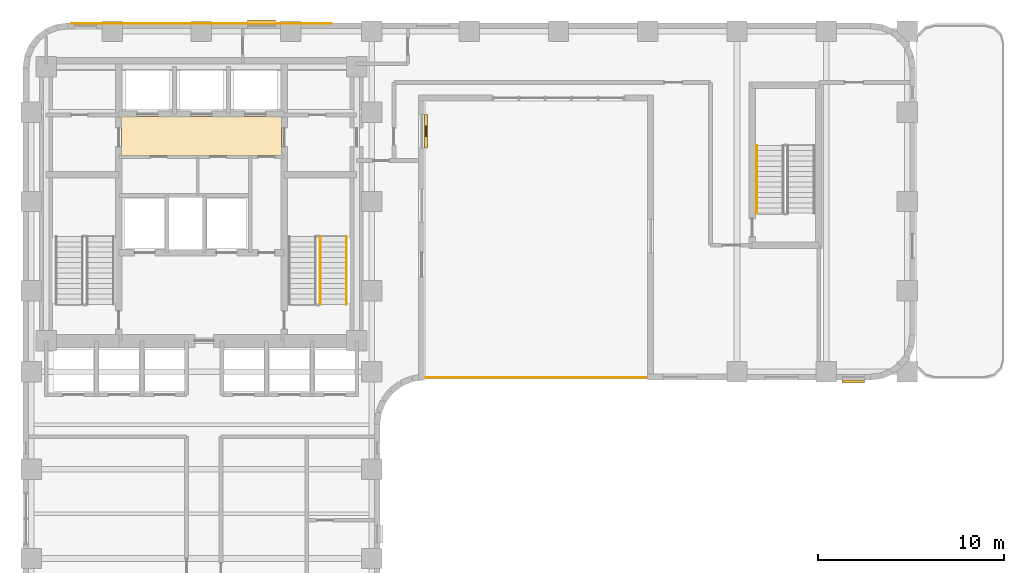
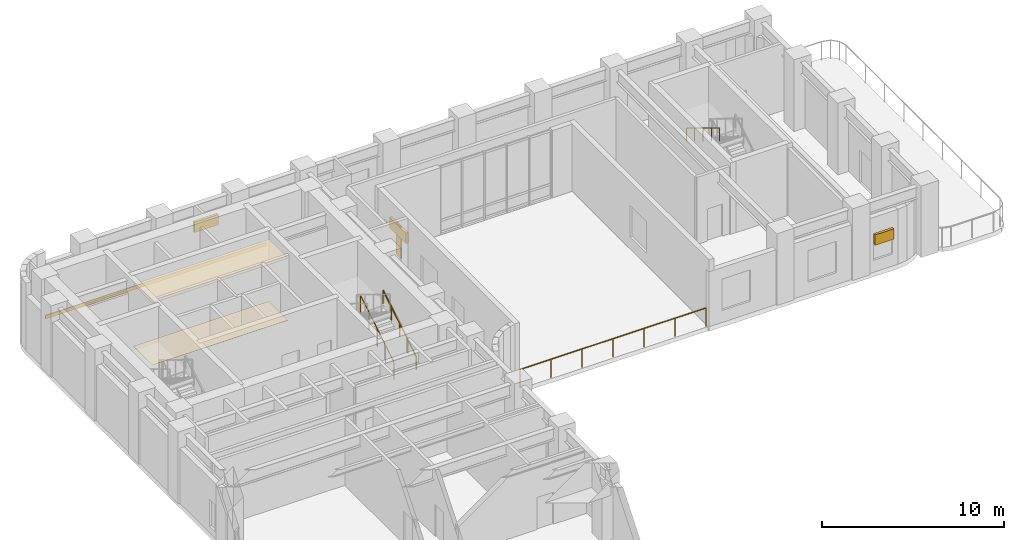
# One storey, part 11 of 12: 4 railings, 4 shading devices, 3 coverings.
"""IFC4 building model written with IfcOpenShell, lengths in metres."""

from ifc_helpers import new_model, si_unit, direction, frame, origin, origin_2d, place, context, subcontext, project, spatial, polyline, rectangle, outline, extrude, material, layer, layer_set, type_object, element, save


model = new_model("IFC4")

# Units and contexts
model_context = context("Model", 3, precision=1e-05, world=origin(), true_north=direction((0.0, 1.0)))
body_context = subcontext(model_context, "Body", "Model", "MODEL_VIEW")
ifc_project = project(units=[si_unit("LENGTHUNIT", "METRE"), si_unit("AREAUNIT", "SQUARE_METRE"), si_unit("VOLUMEUNIT", "CUBIC_METRE"), si_unit("PLANEANGLEUNIT", "RADIAN"), si_unit("MASSUNIT", "GRAM", prefix="KILO")], contexts=[model_context])

# Site, building, storey
site_placement = place(None, origin())
site = spatial("IfcSite", under=ifc_project, at=site_placement, CompositionType="ELEMENT")
building_placement = place(site_placement, origin())
building = spatial("IfcBuilding", under=site, at=building_placement, Name="Orvandelia Arch Residences", CompositionType="ELEMENT")
storey_placement = place(building_placement, frame((0.0, 0.0, 97.0)))
storey = spatial("IfcBuildingStorey", under=building, at=storey_placement, Name="L25", CompositionType="ELEMENT", Elevation=97.0)

# Coverings
ifc_material_1 = material(Name="Perforated Acoustic Mineral-Fibre Ceiling")
ifc_layer_1 = layer(ifc_material_1, 0.02490234375, Name="Perforated Acoustic Mineral-Fibre Ceiling")
ifc_layer_set_1 = layer_set([ifc_layer_1], Name="Perforated Acoustic Mineral-Fibre Ceiling")
covering_type_1 = type_object("IfcCoveringType", Name="COV-CEIL-ACOUSTIC", PredefinedType="CEILING", material=ifc_layer_set_1)
covering_1_placement = place(storey_placement, frame((0.0, 0.0, 4.14990234375)))
element("IfcCovering", 1, at=covering_1_placement, inside=storey, type_object=covering_type_1, Name="Lift Hall Suspended Acoustic Ceiling L25", PredefinedType="CEILING", context=body_context, shape_type="SweptSolid", body=[
    extrude(outline(polyline([(10.10009765625, 40.8798828125), (18.699951171875, 40.8798828125), (18.699951171875, 42.97998046875), (10.10009765625, 42.97998046875), (10.10009765625, 40.8798828125)])), origin(), (0.0, 0.0, 1.0), 0.025146484375),
])
ifc_material_2 = material(Name="Engineered Oak Flooring")
ifc_layer_2 = layer(ifc_material_2, 0.02001953125, Name="Engineered Oak Flooring")
ifc_layer_set_2 = layer_set([ifc_layer_2], Name="Engineered Oak Flooring")
covering_type_2 = type_object("IfcCoveringType", Name="COV-FLOOR-TIMBER", PredefinedType="FLOORING", material=ifc_layer_set_2)
covering_2_placement = place(storey_placement, origin())
element("IfcCovering", 2, at=covering_2_placement, inside=storey, type_object=covering_type_2, Name="Lift Hall Finish Flooring L25", PredefinedType="FLOORING", context=body_context, shape_type="SweptSolid", body=[
    extrude(outline(polyline([(10.10009765625, 40.8798828125), (18.699951171875, 40.8798828125), (18.699951171875, 42.97998046875), (10.10009765625, 42.97998046875), (10.10009765625, 40.8798828125)])), origin(), (0.0, 0.0, 1.0), 0.02001953125),
])
ifc_material_3 = material(Name="Coral-Limestone Architectural Cladding", Category="masonry")
ifc_layer_3 = layer(ifc_material_3, 0.044921875, Name="Coral-Limestone Architectural Cladding", Category="masonry")
ifc_layer_set_3 = layer_set([ifc_layer_3], Name="Coral-Limestone Architectural Cladding")
covering_type_3 = type_object("IfcCoveringType", Name="COV-STONE-CLAD", PredefinedType="CLADDING", material=ifc_layer_set_3)
covering_3_placement = place(storey_placement, frame((14.39990234375, 47.97509765625, -0.240234375), z_axis=(0.0, 0.0, 1.0), x_axis=(1.0, 0.0, 0.0)))
element("IfcCovering", 3, at=covering_3_placement, inside=storey, type_object=covering_type_3, Name="Coral-Limestone Slab-Edge Cladding Band L25", PredefinedType="CLADDING", context=body_context, shape_type="SweptSolid", body=[
    extrude(rectangle(XDim=14.0, YDim=0.044921875, at=origin_2d()), origin(), (0.0, 0.0, 1.0), 0.239990234375),
])

# Railings
ifc_material_4 = material(Name="Marine-Grade Stainless Steel 316", Category="steel")
railing_type_1 = type_object("IfcRailingType", Name="GRD-TERR-1250", PredefinedType="GUARDRAIL", material=ifc_material_4)
railing_1_placement = place(storey_placement, frame((26.4951171875, 28.93359375, 0.0)))
element("IfcRailing", 4, at=railing_1_placement, inside=storey, type_object=railing_type_1, Name="Safety Balustrade Guard GRD-L25-TERR-L25-WAIST-1", PredefinedType="GUARDRAIL", context=body_context, shape_type="SweptSolid", body=[
    extrude(rectangle(XDim=0.048095703125, YDim=0.048095703125, at=origin_2d()), frame((0.0, 0.0, 1.22607421875), z_axis=(1.0, 0.0, 0.0), x_axis=(0.0, 1.0, 0.0)), (0.0, 0.0, 1.0), 11.809814453125),
    extrude(rectangle(XDim=0.0419921875, YDim=0.0419921875, at=origin_2d()), origin(), (0.0, 0.0, 1.0), 1.201904296875),
    extrude(rectangle(XDim=0.0419921875, YDim=0.0419921875, at=origin_2d()), frame((1.96826171875, 0.0, 0.0)), (0.0, 0.0, 1.0), 1.201904296875),
    extrude(rectangle(XDim=0.0419921875, YDim=0.0419921875, at=origin_2d()), frame((3.9365234375, 0.0, 0.0)), (0.0, 0.0, 1.0), 1.201904296875),
    extrude(rectangle(XDim=0.0419921875, YDim=0.0419921875, at=origin_2d()), frame((5.90478515625, 0.0, 0.0)), (0.0, 0.0, 1.0), 1.201904296875),
    extrude(rectangle(XDim=0.0419921875, YDim=0.0419921875, at=origin_2d()), frame((7.873291015625, 0.0, 0.0)), (0.0, 0.0, 1.0), 1.201904296875),
    extrude(rectangle(XDim=0.0419921875, YDim=0.0419921875, at=origin_2d()), frame((9.841552734375, 0.0, 0.0)), (0.0, 0.0, 1.0), 1.201904296875),
    extrude(rectangle(XDim=0.0419921875, YDim=0.0419921875, at=origin_2d()), frame((11.809814453125, 0.0, 0.0)), (0.0, 0.0, 1.0), 1.201904296875),
])
ifc_material_5 = material(Name="Brushed Stainless Steel 304", Category="steel")
railing_type_2 = type_object("IfcRailingType", Name="RL-STAIR-GD1120", PredefinedType="GUARDRAIL", material=ifc_material_5)
railing_2_placement = place(storey_placement, frame((20.780029296875, 32.8701171875, 0.17138671875)))
element("IfcRailing", 5, at=railing_2_placement, inside=storey, type_object=railing_type_2, Name="L25 ST-2 stair guard 1", PredefinedType="GUARDRAIL", context=body_context, shape_type="SweptSolid", body=[
    extrude(rectangle(XDim=0.048095703125, YDim=0.048095703125, at=origin_2d()), frame((0.0, 0.0, 1.17578125), z_axis=(0.0, 0.852850264322, 0.5221555579), x_axis=(-1.0, 0.0, 0.0)), (0.0, 0.0, 1.0), 4.267822265625),
    extrude(rectangle(XDim=0.0419921875, YDim=0.0419921875, at=origin_2d()), origin(), (0.0, 0.0, 1.0), 1.15185546875),
    extrude(rectangle(XDim=0.0419921875, YDim=0.0419921875, at=origin_2d()), frame((0.0, 0.909912109375, 0.55712890625)), (0.0, 0.0, 1.0), 1.15185546875),
    extrude(rectangle(XDim=0.0419921875, YDim=0.0419921875, at=origin_2d()), frame((0.0, 1.81982421875, 1.1142578125)), (0.0, 0.0, 1.0), 1.15185546875),
    extrude(rectangle(XDim=0.0419921875, YDim=0.0419921875, at=origin_2d()), frame((0.0, 2.72998046875, 1.67138671875)), (0.0, 0.0, 1.0), 1.15185546875),
    extrude(rectangle(XDim=0.0419921875, YDim=0.0419921875, at=origin_2d()), frame((0.0, 3.639892578125, 2.228515625)), (0.0, 0.0, 1.0), 1.15185546875),
])
railing_type_3 = type_object("IfcRailingType", Name="RL-STAIR-HR920", PredefinedType="HANDRAIL", material=ifc_material_5)
railing_3_placement = place(storey_placement, frame((22.199951171875, 32.8701171875, 0.3427734375)))
element("IfcRailing", 6, at=railing_3_placement, inside=storey, type_object=railing_type_3, Name="L25 ST-2 stair handrail 1", PredefinedType="HANDRAIL", context=body_context, shape_type="SweptSolid", body=[
    extrude(rectangle(XDim=0.048095703125, YDim=0.048095703125, at=origin_2d()), frame((0.0, 0.0, 0.8759765625), z_axis=(0.0, 0.852824790078, 0.522197163366), x_axis=(-1.0, 0.0, 0.0)), (0.0, 0.0, 1.0), 4.26806640625),
    extrude(rectangle(XDim=0.0419921875, YDim=0.0419921875, at=origin_2d()), origin(), (0.0, 0.0, 1.0), 0.851806640625),
    extrude(rectangle(XDim=0.0419921875, YDim=0.0419921875, at=origin_2d()), frame((0.0, 0.909912109375, 0.55712890625)), (0.0, 0.0, 1.0), 0.851806640625),
    extrude(rectangle(XDim=0.0419921875, YDim=0.0419921875, at=origin_2d()), frame((0.0, 1.81982421875, 1.1142578125)), (0.0, 0.0, 1.0), 0.851806640625),
    extrude(rectangle(XDim=0.0419921875, YDim=0.0419921875, at=origin_2d()), frame((0.0, 2.72998046875, 1.671630859375)), (0.0, 0.0, 1.0), 0.851806640625),
    extrude(rectangle(XDim=0.0419921875, YDim=0.0419921875, at=origin_2d()), frame((0.0, 3.639892578125, 2.228759765625)), (0.0, 0.0, 1.0), 0.851806640625),
])
railing_4_placement = place(storey_placement, frame((44.260009765625, 41.409912109375, 2.742919921875)))
element("IfcRailing", 7, at=railing_4_placement, inside=storey, type_object=railing_type_3, Name="L25 ST-3 stair handrail 2", PredefinedType="HANDRAIL", context=body_context, shape_type="SweptSolid", body=[
    extrude(rectangle(XDim=0.048095703125, YDim=0.048095703125, at=origin_2d()), frame((0.0, 0.0, 0.8759765625), z_axis=(0.0, -0.852850264322, 0.5221555579), x_axis=(1.0, 0.0, 0.0)), (0.0, 0.0, 1.0), 4.267822265625),
    extrude(rectangle(XDim=0.0419921875, YDim=0.0419921875, at=origin_2d()), origin(), (0.0, 0.0, 1.0), 0.851806640625),
    extrude(rectangle(XDim=0.0419921875, YDim=0.0419921875, at=origin_2d()), frame((0.0, -0.909912109375, 0.55712890625)), (0.0, 0.0, 1.0), 0.851806640625),
    extrude(rectangle(XDim=0.0419921875, YDim=0.0419921875, at=origin_2d()), frame((0.0, -1.81982421875, 1.1142578125)), (0.0, 0.0, 1.0), 0.851806640625),
    extrude(rectangle(XDim=0.0419921875, YDim=0.0419921875, at=origin_2d()), frame((0.0, -2.72998046875, 1.67138671875)), (0.0, 0.0, 1.0), 0.851806640625),
    extrude(rectangle(XDim=0.0419921875, YDim=0.0419921875, at=origin_2d()), frame((0.0, -3.639892578125, 2.228515625)), (0.0, 0.0, 1.0), 0.851806640625),
])

# Shading devices
ifc_material_6 = material(Name="Anodised Champagne-Bronze Extruded Aluminium", Category="aluminium")
shading_device_type_1 = type_object("IfcShadingDeviceType", Name="SHD-JALOUSIE-SCREEN", PredefinedType="JALOUSIE", material=ifc_material_6)
shading_device_1_placement = place(storey_placement, frame((17.635009765625, 48.080078125, 2.2001953125), z_axis=(0.0, 0.0, 1.0), x_axis=(1.0, 0.0, 0.0)))
element("IfcShadingDevice", 8, at=shading_device_1_placement, inside=storey, type_object=shading_device_type_1, Name="Bronze Jalousie Sun-Shade L25-001", PredefinedType="JALOUSIE", context=body_context, shape_type="SweptSolid", body=[
    extrude(rectangle(XDim=1.5, YDim=0.159912109375, at=origin_2d()), origin(), (0.0, 0.0, 1.0), 0.699951171875),
])
shading_device_2_placement = place(storey_placement, frame((49.455078125, 28.719970703125, 1.89990234375), z_axis=(0.0, 0.0, 1.0), x_axis=(-1.0, 0.0, 0.0)))
element("IfcShadingDevice", 9, at=shading_device_2_placement, inside=storey, type_object=shading_device_type_1, Name="Bronze Jalousie Sun-Shade L25-002", PredefinedType="JALOUSIE", context=body_context, shape_type="SweptSolid", body=[
    extrude(rectangle(XDim=1.199951171875, YDim=0.159912109375, at=origin_2d()), origin(), (0.0, 0.0, 1.0), 0.699951171875),
])
shading_device_3_placement = place(storey_placement, frame((26.47998046875, 42.179931640625, 2.2001953125), z_axis=(0.0, 0.0, 1.0), x_axis=(0.0, -1.0, 0.0)))
element("IfcShadingDevice", 10, at=shading_device_3_placement, inside=storey, type_object=shading_device_type_1, Name="Bronze Jalousie Sun-Shade L25-003", PredefinedType="JALOUSIE", context=body_context, shape_type="SweptSolid", body=[
    extrude(rectangle(XDim=1.800048828125, YDim=0.159912109375, at=origin_2d()), origin(), (0.0, 0.0, 1.0), 0.699951171875),
])
ifc_material_7 = material(Name="Marine-Grade Perforated Aluminium Storm Shutter", Category="aluminium")
shading_device_type_2 = type_object("IfcShadingDeviceType", Name="SHD-STORM-SHUTTER", PredefinedType="SHUTTER", material=ifc_material_7)
shading_device_4_placement = place(storey_placement, frame((26.47998046875, 42.179931640625, 0.800048828125), z_axis=(0.0, 0.0, 1.0), x_axis=(0.0, -1.0, 0.0)))
element("IfcShadingDevice", 11, at=shading_device_4_placement, inside=storey, type_object=shading_device_type_2, Name="Operable Typhoon Storm Shutter L25-003", PredefinedType="SHUTTER", context=body_context, shape_type="SweptSolid", body=[
    extrude(rectangle(XDim=0.550048828125, YDim=0.080078125, at=origin_2d()), origin(), (0.0, 0.0, 1.0), 2.10009765625),
])

save(model, "model.ifc")
